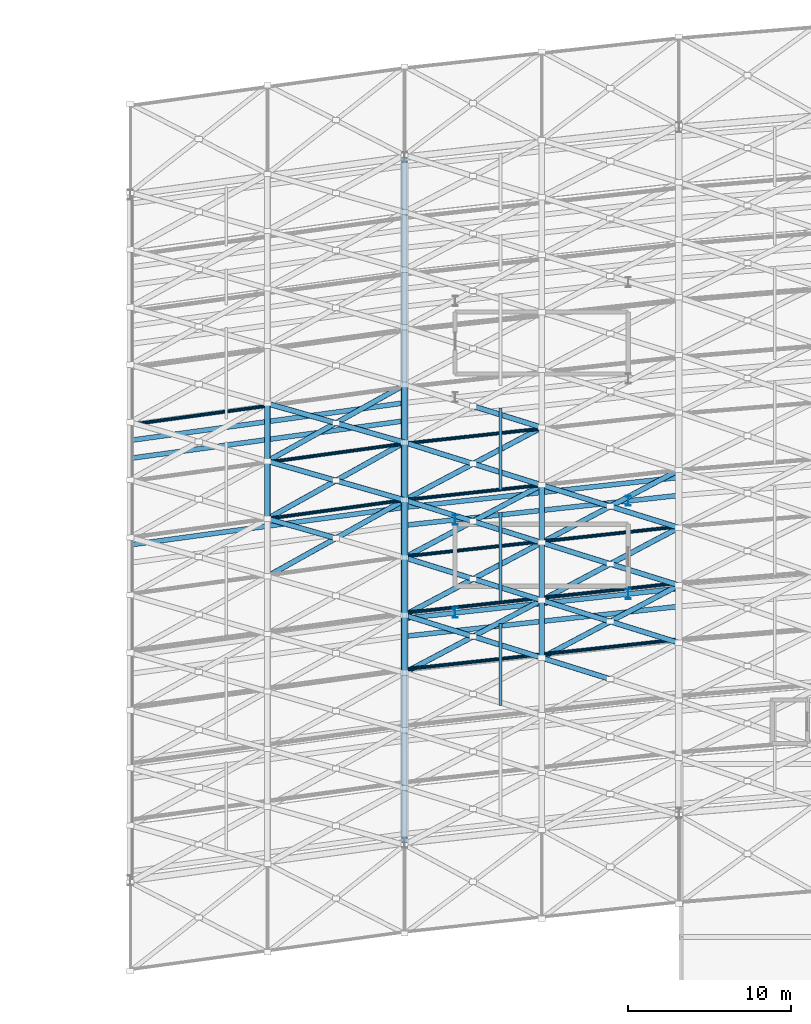
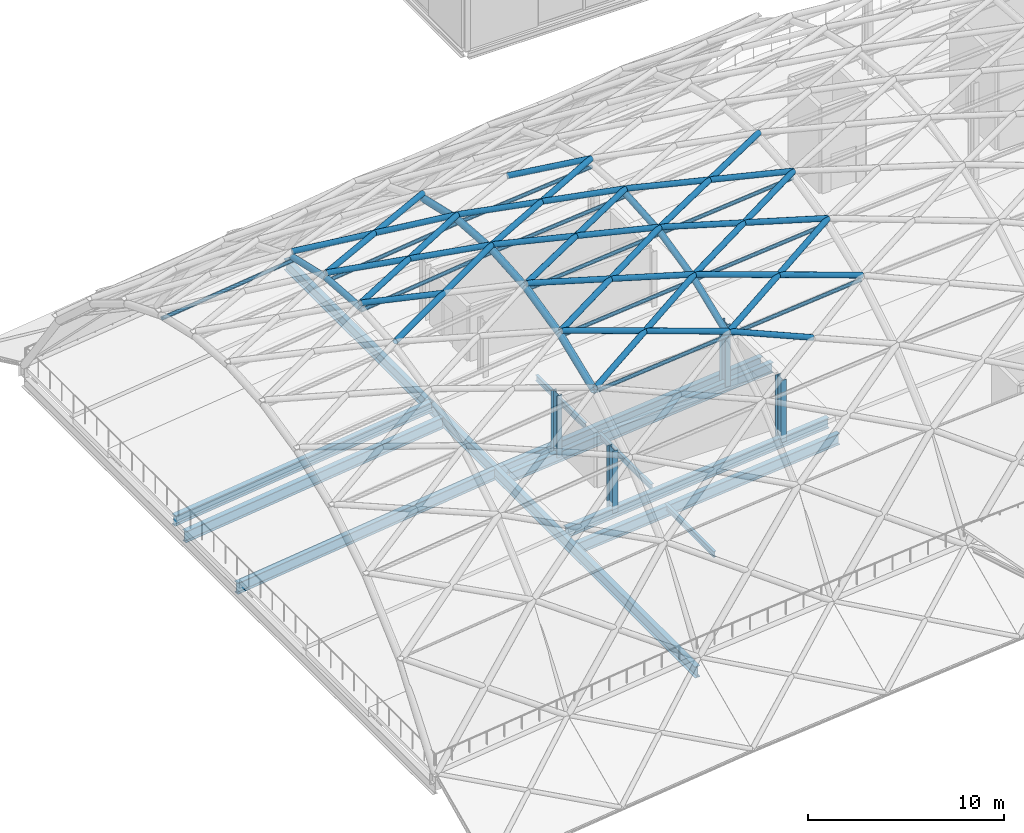
# One storey, part 13 of 100: 56 members, 11 beams.
"""IFC4 building model written with IfcOpenShell, lengths in metres."""

from ifc_helpers import new_model, si_unit, direction, frame, origin, origin_2d, place, context, subcontext, project, spatial, hollow_circle, i_section, extrude, material, material_profile, profile_set, type_object, element, save


model = new_model("IFC4")

# Units and contexts
model_context = context("Model", 3, precision=1e-05, world=origin(), true_north=direction((0.0, 1.0)))
body_context = subcontext(model_context, "Body", "Model", "MODEL_VIEW")
ifc_project = project(units=[si_unit("LENGTHUNIT", "METRE"), si_unit("AREAUNIT", "SQUARE_METRE"), si_unit("VOLUMEUNIT", "CUBIC_METRE"), si_unit("PLANEANGLEUNIT", "RADIAN"), si_unit("MASSUNIT", "GRAM", prefix="KILO")], contexts=[model_context])

# Site, building, storey
site_placement = place(None, origin())
site = spatial("IfcSite", under=ifc_project, at=site_placement, CompositionType="ELEMENT")
building_placement = place(site_placement, origin())
building = spatial("IfcBuilding", under=site, at=building_placement, Name="Kimbaza Rail Terminus", CompositionType="ELEMENT")
storey_placement = place(building_placement, frame((0.0, 0.0, 10.800048828125)))
storey = spatial("IfcBuildingStorey", under=building, at=storey_placement, Name="L02", CompositionType="ELEMENT", Elevation=10.800048828125)

# Beams
ifc_material_1 = material(Name="Steel S355", Category="steel")
ifc_material_profile_1 = material_profile(ifc_material_1, i_section(OverallWidth=0.300048828125, OverallDepth=0.64990234375, WebThickness=0.01611328125, FlangeThickness=0.031005859375, FilletRadius=0.027099609375, at=origin_2d()), Name="HEB 650")
ifc_profile_set_1 = profile_set([ifc_material_profile_1], Name="Steel S355")
beam_type_1 = type_object("IfcBeamType", Name="STR-BM-HEB650", PredefinedType="USERDEFINED", material=ifc_profile_set_1)
beam_1_placement = place(storey_placement, frame((21.74365234375, 74.845703125, -0.5849609375), z_axis=(0.990777321611, 0.135500180745, 0.0), x_axis=(-0.135500180745, 0.990777321611, 0.0)))
element("IfcBeam", 1, at=beam_1_placement, inside=storey, type_object=beam_type_1, Name="Viaduct Chorded Girder P3 Bay 01", ObjectType="GIRDER", PredefinedType="USERDEFINED", context=body_context, shape_type="SweptSolid", body=[
    extrude(i_section(OverallWidth=0.300048828125, OverallDepth=0.64990234375, WebThickness=0.01611328125, FlangeThickness=0.031005859375, FilletRadius=0.027099609375, at=origin_2d()), origin(), (0.0, 0.0, 1.0), 16.66650390625),
])
for number, where, z_axis, x_axis, name in (
    (2, (38.544189453125, 63.939208984375, -0.5849609375), (0.994106987183, 0.108403404165, 0.0), (-0.108403404165, 0.994106987183, 0.0), "Viaduct Chorded Girder P2 Bay 02"),
    (3, (38.544189453125, 69.639404296875, -0.5849609375), (0.994108571086, 0.108388878093, 0.0), (-0.108388878093, 0.994108571086, 0.0), "Viaduct Chorded Girder P2 Bay 02"),
):
    element("IfcBeam", number, at=place(storey_placement, frame(where, z_axis=z_axis, x_axis=x_axis)), inside=storey, type_object=beam_type_1, Name=name, ObjectType="GIRDER", PredefinedType="USERDEFINED", context=body_context, shape_type="SweptSolid", body=[
        extrude(i_section(OverallWidth=0.300048828125, OverallDepth=0.64990234375, WebThickness=0.01611328125, FlangeThickness=0.031005859375, FilletRadius=0.027099609375, at=origin_2d()), origin(), (0.0, 0.0, 1.0), 16.609619140625),
    ])
ifc_material_2 = material(Name="Steel S355", Category="steel")
ifc_material_profile_2 = material_profile(ifc_material_2, i_section(OverallWidth=0.300048828125, OverallDepth=0.699951171875, WebThickness=0.01708984375, FlangeThickness=0.031982421875, FilletRadius=0.027099609375, at=origin_2d()), Name="HEB 700")
ifc_profile_set_2 = profile_set([ifc_material_profile_2], Name="Steel S355")
beam_type_2 = type_object("IfcBeamType", Name="STR-BM-HEB700", PredefinedType="USERDEFINED", material=ifc_profile_set_2)
beam_2_placement = place(storey_placement, frame((38.39990234375, 50.173583984375, -0.920166015625), z_axis=(0.0, 1.0, 0.0), x_axis=(-1.0, 0.0, 0.0)))
element("IfcBeam", 4, at=beam_2_placement, inside=storey, type_object=beam_type_2, Name="Viaduct Pier Crosshead Girder VP-02", ObjectType="GIRDER", PredefinedType="USERDEFINED", context=body_context, shape_type="SweptSolid", body=[
    extrude(i_section(OverallWidth=0.300048828125, OverallDepth=0.699951171875, WebThickness=0.01708984375, FlangeThickness=0.031982421875, FilletRadius=0.027099609375, at=origin_2d()), origin(), (0.0, 0.0, 1.0), 42.0),
])
for number, where, z_axis, x_axis, name in (
    (5, (21.74365234375, 68.445556640625, -0.920166015625), (0.990777321611, 0.135500180745, 0.0), (-0.135500180745, 0.990777321611, 0.0), "Viaduct Chorded Girder TR34 Bay 01"),
    (6, (21.74365234375, 73.74560546875, -0.920166015625), (0.990777321611, 0.135500180745, 0.0), (-0.135500180745, 0.990777321611, 0.0), "Viaduct Chorded Girder TR34 Bay 01"),
):
    element("IfcBeam", number, at=place(storey_placement, frame(where, z_axis=z_axis, x_axis=x_axis)), inside=storey, type_object=beam_type_2, Name=name, ObjectType="GIRDER", PredefinedType="USERDEFINED", context=body_context, shape_type="SweptSolid", body=[
        extrude(i_section(OverallWidth=0.300048828125, OverallDepth=0.699951171875, WebThickness=0.01708984375, FlangeThickness=0.031982421875, FilletRadius=0.027099609375, at=origin_2d()), origin(), (0.0, 0.0, 1.0), 16.66650390625),
    ])
for number, where, z_axis, x_axis, name in (
    (7, (38.544189453125, 62.83935546875, -0.920166015625), (0.994108571086, 0.108388878093, 0.0), (-0.108388878093, 0.994108571086, 0.0), "Viaduct Chorded Girder TR12 Bay 02"),
    (8, (38.544189453125, 70.7392578125, -0.920166015625), (0.994106987183, 0.108403404165, 0.0), (-0.108403404165, 0.994106987183, 0.0), "Viaduct Chorded Girder TR34 Bay 02"),
):
    element("IfcBeam", number, at=place(storey_placement, frame(where, z_axis=z_axis, x_axis=x_axis)), inside=storey, type_object=beam_type_2, Name=name, ObjectType="GIRDER", PredefinedType="USERDEFINED", context=body_context, shape_type="SweptSolid", body=[
        extrude(i_section(OverallWidth=0.300048828125, OverallDepth=0.699951171875, WebThickness=0.01708984375, FlangeThickness=0.031982421875, FilletRadius=0.027099609375, at=origin_2d()), origin(), (0.0, 0.0, 1.0), 16.609619140625),
    ])
ifc_material_3 = material(Name="Steel S355", Category="steel")
ifc_material_profile_3 = material_profile(ifc_material_3, i_section(OverallWidth=0.169921875, OverallDepth=0.360107421875, WebThickness=0.008056640625, FlangeThickness=0.0126953125, FilletRadius=0.01806640625, at=origin_2d()), Name="IPE 360")
ifc_profile_set_3 = profile_set([ifc_material_profile_3], Name="Steel S355")
beam_type_3 = type_object("IfcBeamType", Name="STR-BM-IPE360", PredefinedType="JOIST", material=ifc_profile_set_3)
beam_3_placement = place(storey_placement, frame((44.280029296875, 58.58447265625, -0.75), z_axis=(0.0, 1.0, 0.0), x_axis=(-1.0, 0.0, 0.0)))
element("IfcBeam", 9, at=beam_3_placement, inside=storey, type_object=beam_type_3, Name="Viaduct Diaphragm TR12 Bay 02", PredefinedType="JOIST", context=body_context, shape_type="SweptSolid", body=[
    extrude(i_section(OverallWidth=0.169921875, OverallDepth=0.360107421875, WebThickness=0.008056640625, FlangeThickness=0.0126953125, FilletRadius=0.01806640625, at=origin_2d()), origin(), (0.0, 0.0, 1.0), 5.010009765625),
])
beam_4_placement = place(storey_placement, frame((44.280029296875, 64.984619140625, -0.43994140625), z_axis=(0.0, 1.0, 0.0), x_axis=(-1.0, 0.0, 0.0)))
element("IfcBeam", 10, at=beam_4_placement, inside=storey, type_object=beam_type_3, Name="Viaduct Diaphragm P2 Bay 02", PredefinedType="JOIST", context=body_context, shape_type="SweptSolid", body=[
    extrude(i_section(OverallWidth=0.169921875, OverallDepth=0.360107421875, WebThickness=0.008056640625, FlangeThickness=0.0126953125, FilletRadius=0.01806640625, at=origin_2d()), origin(), (0.0, 0.0, 1.0), 5.409912109375),
])
beam_5_placement = place(storey_placement, frame((44.280029296875, 71.784423828125, -0.75), z_axis=(0.0, 1.0, 0.0), x_axis=(-1.0, 0.0, 0.0)))
element("IfcBeam", 11, at=beam_5_placement, inside=storey, type_object=beam_type_3, Name="Viaduct Diaphragm TR34 Bay 02", PredefinedType="JOIST", context=body_context, shape_type="SweptSolid", body=[
    extrude(i_section(OverallWidth=0.169921875, OverallDepth=0.360107421875, WebThickness=0.008056640625, FlangeThickness=0.0126953125, FilletRadius=0.01806640625, at=origin_2d()), origin(), (0.0, 0.0, 1.0), 5.010009765625),
])

# Members
ifc_material_4 = material(Name="White painted steel S355", Category="steel")
ifc_material_profile_4 = material_profile(ifc_material_4, hollow_circle(Radius=0.109619140625, WallThickness=0.008056640625, at=origin_2d()), Name="CHS 219.1x8")
ifc_profile_set_4 = profile_set([ifc_material_profile_4], Name="White painted steel S355")
member_type_1 = type_object("IfcMemberType", Name="STR-MB-CHS219", PredefinedType="PURLIN", material=ifc_profile_set_4)
for number, where, z_axis, x_axis, name in (
    (12, (21.60009765625, 75.7900390625, 11.462158203125), (0.990775062808, 0.135516696087, 0.0), (-0.135516696087, 0.990775062808, 0.0), "Vault lattice longitudinal purlin VR-00-VA09"),
    (13, (30.0, 70.02490234375, 12.510009765625), (0.990778928837, 0.135488428186, 0.0), (-0.135488428186, 0.990778928837, 0.0), "Vault lattice longitudinal purlin VR-01-VA07"),
    (14, (30.0, 73.48193359375, 12.25244140625), (0.990778928837, 0.135488428186, 0.0), (-0.135488428186, 0.990778928837, 0.0), "Vault lattice longitudinal purlin VR-01-VA08"),
):
    element("IfcMember", number, at=place(storey_placement, frame(where, z_axis=z_axis, x_axis=x_axis)), inside=storey, type_object=member_type_1, Name=name, PredefinedType="PURLIN", context=body_context, shape_type="SweptSolid", body=[
        extrude(hollow_circle(Radius=0.109619140625, WallThickness=0.008056640625, at=origin_2d()), origin(), (0.0, 0.0, 1.0), 8.47802734375),
    ])
for number, where, z_axis, x_axis, name in (
    (15, (38.39990234375, 60.802490234375, 10.078857421875), (0.994106819652, 0.108404940487, 0.0), (-0.108404940487, 0.994106819652, 0.0), "Vault lattice longitudinal purlin VR-02-VA04"),
    (16, (38.39990234375, 64.259521484375, 11.462158203125), (0.994106819652, 0.108404940487, 0.0), (-0.108404940487, 0.994106819652, 0.0), "Vault lattice longitudinal purlin VR-02-VA05"),
    (17, (38.39990234375, 67.716552734375, 12.25244140625), (0.994106819652, 0.108404940487, 0.0), (-0.108404940487, 0.994106819652, 0.0), "Vault lattice longitudinal purlin VR-02-VA06"),
    (18, (38.39990234375, 71.173583984375, 12.510009765625), (0.994106819652, 0.108404940487, 0.0), (-0.108404940487, 0.994106819652, 0.0), "Vault lattice longitudinal purlin VR-02-VA07"),
    (19, (38.39990234375, 74.630615234375, 12.25244140625), (0.994106819652, 0.108404940487, 0.0), (-0.108404940487, 0.994106819652, 0.0), "Vault lattice longitudinal purlin VR-02-VA08"),
):
    element("IfcMember", number, at=place(storey_placement, frame(where, z_axis=z_axis, x_axis=x_axis)), inside=storey, type_object=member_type_1, Name=name, PredefinedType="PURLIN", context=body_context, shape_type="SweptSolid", body=[
        extrude(hollow_circle(Radius=0.109619140625, WallThickness=0.008056640625, at=origin_2d()), origin(), (0.0, 0.0, 1.0), 8.449951171875),
    ])
for number, where, z_axis, x_axis, name in (
    (20, (46.800048828125, 61.718505859375, 10.078857421875), (0.99410959352, 0.108379500241, 0.0), (-0.108379500241, 0.99410959352, 0.0), "Vault lattice longitudinal purlin VR-03-VA04"),
    (21, (46.800048828125, 65.175537109375, 11.462158203125), (0.99410959352, 0.108379500241, 0.0), (-0.108379500241, 0.99410959352, 0.0), "Vault lattice longitudinal purlin VR-03-VA05"),
    (22, (46.800048828125, 68.632568359375, 12.25244140625), (0.99410959352, 0.108379500241, 0.0), (-0.108379500241, 0.99410959352, 0.0), "Vault lattice longitudinal purlin VR-03-VA06"),
):
    element("IfcMember", number, at=place(storey_placement, frame(where, z_axis=z_axis, x_axis=x_axis)), inside=storey, type_object=member_type_1, Name=name, PredefinedType="PURLIN", context=body_context, shape_type="SweptSolid", body=[
        extrude(hollow_circle(Radius=0.109619140625, WallThickness=0.008056640625, at=origin_2d()), origin(), (0.0, 0.0, 1.0), 8.44970703125),
    ])
ifc_material_5 = material(Name="White painted steel S355", Category="steel")
ifc_material_profile_5 = material_profile(ifc_material_5, hollow_circle(Radius=0.161865234375, WallThickness=0.010009765625, at=origin_2d()), Name="CHS 323.9x10")
ifc_profile_set_5 = profile_set([ifc_material_profile_5], Name="White painted steel S355")
member_type_2 = type_object("IfcMemberType", Name="STR-MB-CHS323", PredefinedType="STRUT", material=ifc_profile_set_5)
member_1_placement = place(storey_placement, frame((30.0, 66.498046875, 12.71728515625), z_axis=(0.873436841779, 0.486170695719, 0.027315527575), x_axis=(-0.486352172507, 0.87376287647, 0.0)))
element("IfcMember", 23, at=member_1_placement, inside=storey, type_object=member_type_2, Name="Vault lattice diagonal A VR-01-VA06", PredefinedType="STRUT", context=body_context, shape_type="SweptSolid", body=[
    extrude(hollow_circle(Radius=0.161865234375, WallThickness=0.010009765625, at=origin_2d()), origin(), (0.0, 0.0, 1.0), 9.6171875),
])
member_2_placement = place(storey_placement, frame((34.199951171875, 68.8359375, 12.8486328125), z_axis=(-0.961752747069, 0.272262737791, 0.030077485202), x_axis=(-0.272385973351, -0.962188069725, 0.0)))
element("IfcMember", 24, at=member_2_placement, inside=storey, type_object=member_type_2, Name="Vault lattice diagonal B2 VR-01-VA06", PredefinedType="STRUT", context=body_context, shape_type="SweptSolid", body=[
    extrude(hollow_circle(Radius=0.161865234375, WallThickness=0.010009765625, at=origin_2d()), origin(), (0.0, 0.0, 1.0), 4.366943359375),
])
member_3_placement = place(storey_placement, frame((30.0, 70.02490234375, 12.97998046875), z_axis=(0.873447621669, 0.486151309509, -0.027315864701), x_axis=(-0.486332783542, 0.873773668436, 0.0)))
element("IfcMember", 25, at=member_3_placement, inside=storey, type_object=member_type_2, Name="Vault lattice diagonal A VR-01-VA07", PredefinedType="STRUT", context=body_context, shape_type="SweptSolid", body=[
    extrude(hollow_circle(Radius=0.161865234375, WallThickness=0.010009765625, at=origin_2d()), origin(), (0.0, 0.0, 1.0), 9.616943359375),
])
for number, where, z_axis, x_axis, name in (
    (26, (38.39990234375, 71.173583984375, 12.97998046875), (-0.961752747069, 0.272262737791, -0.030077485202), (-0.272385973351, -0.962188069725, 0.0), "Vault lattice diagonal B1 VR-01-VA07"),
    (27, (34.199951171875, 72.362548828125, 12.8486328125), (-0.961752747069, 0.272262737791, -0.030077485202), (-0.272385973351, -0.962188069725, 0.0), "Vault lattice diagonal B2 VR-01-VA07"),
):
    element("IfcMember", number, at=place(storey_placement, frame(where, z_axis=z_axis, x_axis=x_axis)), inside=storey, type_object=member_type_2, Name=name, PredefinedType="STRUT", context=body_context, shape_type="SweptSolid", body=[
        extrude(hollow_circle(Radius=0.161865234375, WallThickness=0.010009765625, at=origin_2d()), origin(), (0.0, 0.0, 1.0), 4.366943359375),
    ])
member_4_placement = place(storey_placement, frame((30.0, 73.551513671875, 12.71728515625), z_axis=(0.87071755489, 0.48463178446, -0.083564185498), x_axis=(-0.486332783542, 0.873773668436, 0.0)))
element("IfcMember", 28, at=member_4_placement, inside=storey, type_object=member_type_2, Name="Vault lattice diagonal A VR-01-VA08", PredefinedType="STRUT", context=body_context, shape_type="SweptSolid", body=[
    extrude(hollow_circle(Radius=0.161865234375, WallThickness=0.010009765625, at=origin_2d()), origin(), (0.0, 0.0, 1.0), 9.647216796875),
])
for number, where, z_axis, x_axis, name in (
    (29, (38.39990234375, 74.7001953125, 12.71728515625), (-0.958111742966, 0.271232005362, -0.09195154843), (-0.272385973351, -0.962188069725, 0.0), "Vault lattice diagonal B1 VR-01-VA08"),
    (30, (34.199951171875, 75.88916015625, 12.314208984375), (-0.958111742966, 0.271232005362, -0.09195154843), (-0.272385973351, -0.962188069725, 0.0), "Vault lattice diagonal B2 VR-01-VA08"),
):
    element("IfcMember", number, at=place(storey_placement, frame(where, z_axis=z_axis, x_axis=x_axis)), inside=storey, type_object=member_type_2, Name=name, PredefinedType="STRUT", context=body_context, shape_type="SweptSolid", body=[
        extrude(hollow_circle(Radius=0.161865234375, WallThickness=0.010009765625, at=origin_2d()), origin(), (0.0, 0.0, 1.0), 4.383544921875),
    ])
member_5_placement = place(storey_placement, frame((38.39990234375, 60.593505859375, 10.499755859375), z_axis=(0.874392229098, 0.462444136161, 0.14691375233), x_axis=(-0.467517020332, 0.883984069823, 0.0)))
element("IfcMember", 31, at=member_5_placement, inside=storey, type_object=member_type_2, Name="Vault lattice diagonal A VR-02-VA04", PredefinedType="STRUT", context=body_context, shape_type="SweptSolid", body=[
    extrude(hollow_circle(Radius=0.161865234375, WallThickness=0.010009765625, at=origin_2d()), origin(), (0.0, 0.0, 1.0), 9.60693359375),
])
member_6_placement = place(storey_placement, frame((46.800048828125, 61.509521484375, 10.499755859375), z_axis=(-0.94287221286, 0.29306154288, 0.158451640259), x_axis=(-0.296811236638, -0.95493617054, 0.0)))
element("IfcMember", 32, at=member_6_placement, inside=storey, type_object=member_type_2, Name="Vault lattice diagonal B1 VR-02-VA04", PredefinedType="STRUT", context=body_context, shape_type="SweptSolid", body=[
    extrude(hollow_circle(Radius=0.161865234375, WallThickness=0.010009765625, at=origin_2d()), origin(), (0.0, 0.0, 1.0), 4.454345703125),
])
member_7_placement = place(storey_placement, frame((42.60009765625, 62.81494140625, 11.20556640625), z_axis=(-0.942886481985, 0.293048943221, 0.158390021677), x_axis=(-0.29679550395, -0.954941060399, 0.0)))
element("IfcMember", 33, at=member_7_placement, inside=storey, type_object=member_type_2, Name="Vault lattice diagonal B2 VR-02-VA04", PredefinedType="STRUT", context=body_context, shape_type="SweptSolid", body=[
    extrude(hollow_circle(Radius=0.161865234375, WallThickness=0.010009765625, at=origin_2d()), origin(), (0.0, 0.0, 1.0), 4.45458984375),
])
member_8_placement = place(storey_placement, frame((38.39990234375, 64.120361328125, 11.9111328125), z_axis=(0.880830640597, 0.465823650312, 0.084532297941), x_axis=(-0.467496943539, 0.883994687643, 0.0)))
element("IfcMember", 34, at=member_8_placement, inside=storey, type_object=member_type_2, Name="Vault lattice diagonal A VR-02-VA05", PredefinedType="STRUT", context=body_context, shape_type="SweptSolid", body=[
    extrude(hollow_circle(Radius=0.161865234375, WallThickness=0.010009765625, at=origin_2d()), origin(), (0.0, 0.0, 1.0), 9.53662109375),
])
member_9_placement = place(storey_placement, frame((46.800048828125, 65.0361328125, 11.9111328125), z_axis=(-0.950950939485, 0.295572555567, 0.091264314427), x_axis=(-0.296811236638, -0.95493617054, 0.0)))
element("IfcMember", 35, at=member_9_placement, inside=storey, type_object=member_type_2, Name="Vault lattice diagonal B1 VR-02-VA05", PredefinedType="STRUT", context=body_context, shape_type="SweptSolid", body=[
    extrude(hollow_circle(Radius=0.161865234375, WallThickness=0.010009765625, at=origin_2d()), origin(), (0.0, 0.0, 1.0), 4.41650390625),
])
member_10_placement = place(storey_placement, frame((42.60009765625, 66.341552734375, 12.314208984375), z_axis=(-0.950956228767, 0.29555701902, 0.091259517188), x_axis=(-0.29679550395, -0.954941060399, 0.0)))
element("IfcMember", 36, at=member_10_placement, inside=storey, type_object=member_type_2, Name="Vault lattice diagonal B2 VR-02-VA05", PredefinedType="STRUT", context=body_context, shape_type="SweptSolid", body=[
    extrude(hollow_circle(Radius=0.161865234375, WallThickness=0.010009765625, at=origin_2d()), origin(), (0.0, 0.0, 1.0), 4.416748046875),
])
member_11_placement = place(storey_placement, frame((38.39990234375, 67.64697265625, 12.71728515625), z_axis=(0.883646483057, 0.467338479152, 0.027634016792), x_axis=(-0.467517020332, 0.883984069823, 0.0)))
element("IfcMember", 37, at=member_11_placement, inside=storey, type_object=member_type_2, Name="Vault lattice diagonal A VR-02-VA06", PredefinedType="STRUT", context=body_context, shape_type="SweptSolid", body=[
    extrude(hollow_circle(Radius=0.161865234375, WallThickness=0.010009765625, at=origin_2d()), origin(), (0.0, 0.0, 1.0), 9.50634765625),
])
member_12_placement = place(storey_placement, frame((46.800048828125, 68.562744140625, 12.71728515625), z_axis=(-0.954510612477, 0.296678965582, 0.029850997472), x_axis=(-0.296811236638, -0.95493617054, 0.0)))
element("IfcMember", 38, at=member_12_placement, inside=storey, type_object=member_type_2, Name="Vault lattice diagonal B1 VR-02-VA06", PredefinedType="STRUT", context=body_context, shape_type="SweptSolid", body=[
    extrude(hollow_circle(Radius=0.161865234375, WallThickness=0.010009765625, at=origin_2d()), origin(), (0.0, 0.0, 1.0), 4.400146484375),
])
member_13_placement = place(storey_placement, frame((42.60009765625, 69.8681640625, 12.8486328125), z_axis=(-0.954515545239, 0.296663253917, 0.029849416609), x_axis=(-0.29679550395, -0.954941060399, 0.0)))
element("IfcMember", 39, at=member_13_placement, inside=storey, type_object=member_type_2, Name="Vault lattice diagonal B2 VR-02-VA06", PredefinedType="STRUT", context=body_context, shape_type="SweptSolid", body=[
    extrude(hollow_circle(Radius=0.161865234375, WallThickness=0.010009765625, at=origin_2d()), origin(), (0.0, 0.0, 1.0), 4.400390625),
])
member_14_placement = place(storey_placement, frame((38.39990234375, 71.173583984375, 12.97998046875), z_axis=(0.883646483057, 0.467338479152, -0.027634016792), x_axis=(-0.467517020332, 0.883984069823, 0.0)))
element("IfcMember", 40, at=member_14_placement, inside=storey, type_object=member_type_2, Name="Vault lattice diagonal A VR-02-VA07", PredefinedType="STRUT", context=body_context, shape_type="SweptSolid", body=[
    extrude(hollow_circle(Radius=0.161865234375, WallThickness=0.010009765625, at=origin_2d()), origin(), (0.0, 0.0, 1.0), 9.50634765625),
])
member_15_placement = place(storey_placement, frame((46.800048828125, 72.089599609375, 12.97998046875), z_axis=(-0.954526323852, 0.29662836292, -0.029851488824), x_axis=(-0.296760615771, -0.954951902939, 0.0)))
element("IfcMember", 41, at=member_15_placement, inside=storey, type_object=member_type_2, Name="Vault lattice diagonal B1 VR-02-VA07", PredefinedType="STRUT", context=body_context, shape_type="SweptSolid", body=[
    extrude(hollow_circle(Radius=0.161865234375, WallThickness=0.010009765625, at=origin_2d()), origin(), (0.0, 0.0, 1.0), 4.400146484375),
])
member_16_placement = place(storey_placement, frame((42.60009765625, 73.394775390625, 12.8486328125), z_axis=(-0.954515545239, 0.296663253917, -0.029849416609), x_axis=(-0.29679550395, -0.954941060399, 0.0)))
element("IfcMember", 42, at=member_16_placement, inside=storey, type_object=member_type_2, Name="Vault lattice diagonal B2 VR-02-VA07", PredefinedType="STRUT", context=body_context, shape_type="SweptSolid", body=[
    extrude(hollow_circle(Radius=0.161865234375, WallThickness=0.010009765625, at=origin_2d()), origin(), (0.0, 0.0, 1.0), 4.400390625),
])
member_17_placement = place(storey_placement, frame((46.800048828125, 75.6162109375, 12.71728515625), z_axis=(-0.950950939485, 0.295572555567, -0.091264314427), x_axis=(-0.296811236638, -0.95493617054, 0.0)))
element("IfcMember", 43, at=member_17_placement, inside=storey, type_object=member_type_2, Name="Vault lattice diagonal B1 VR-02-VA08", PredefinedType="STRUT", context=body_context, shape_type="SweptSolid", body=[
    extrude(hollow_circle(Radius=0.161865234375, WallThickness=0.010009765625, at=origin_2d()), origin(), (0.0, 0.0, 1.0), 4.41650390625),
])
member_18_placement = place(storey_placement, frame((51.0, 60.2041015625, 9.425048828125), z_axis=(-0.927643307476, 0.288328126785, 0.237370565571), x_axis=(-0.296811236638, -0.95493617054, 0.0)))
element("IfcMember", 44, at=member_18_placement, inside=storey, type_object=member_type_2, Name="Vault lattice diagonal B2 VR-03-VA03", PredefinedType="STRUT", context=body_context, shape_type="SweptSolid", body=[
    extrude(hollow_circle(Radius=0.161865234375, WallThickness=0.010009765625, at=origin_2d()), origin(), (0.0, 0.0, 1.0), 4.527587890625),
])
member_19_placement = place(storey_placement, frame((46.800048828125, 61.509521484375, 10.499755859375), z_axis=(0.874386245658, 0.462454412377, 0.146917016978), x_axis=(-0.46752763846, 0.883978454079, 0.0)))
element("IfcMember", 45, at=member_19_placement, inside=storey, type_object=member_type_2, Name="Vault lattice diagonal A VR-03-VA04", PredefinedType="STRUT", context=body_context, shape_type="SweptSolid", body=[
    extrude(hollow_circle(Radius=0.161865234375, WallThickness=0.010009765625, at=origin_2d()), origin(), (0.0, 0.0, 1.0), 9.606689453125),
])
for number, where, z_axis, x_axis, name in (
    (46, (55.199951171875, 62.425537109375, 10.499755859375), (-0.942887356496, 0.29301144032, 0.158454185179), (-0.296760615771, -0.954951902939, 0.0), "Vault lattice diagonal B1 VR-03-VA04"),
    (47, (51.0, 63.730712890625, 11.20556640625), (-0.942880399935, 0.293064087569, 0.158398207046), (-0.296811236638, -0.95493617054, 0.0), "Vault lattice diagonal B2 VR-03-VA04"),
):
    element("IfcMember", number, at=place(storey_placement, frame(where, z_axis=z_axis, x_axis=x_axis)), inside=storey, type_object=member_type_2, Name=name, PredefinedType="STRUT", context=body_context, shape_type="SweptSolid", body=[
        extrude(hollow_circle(Radius=0.161865234375, WallThickness=0.010009765625, at=origin_2d()), origin(), (0.0, 0.0, 1.0), 4.454345703125),
    ])
member_20_placement = place(storey_placement, frame((46.800048828125, 65.0361328125, 11.9111328125), z_axis=(0.880814397788, 0.465854199749, 0.084533195998), x_axis=(-0.46752763846, 0.883978454079, 0.0)))
element("IfcMember", 48, at=member_20_placement, inside=storey, type_object=member_type_2, Name="Vault lattice diagonal A VR-03-VA05", PredefinedType="STRUT", context=body_context, shape_type="SweptSolid", body=[
    extrude(hollow_circle(Radius=0.161865234375, WallThickness=0.010009765625, at=origin_2d()), origin(), (0.0, 0.0, 1.0), 9.53662109375),
])
for number, where, z_axis, x_axis, name in (
    (49, (55.199951171875, 65.9521484375, 11.9111328125), (-0.950950939485, 0.295572555567, 0.091264314427), (-0.296811236638, -0.95493617054, 0.0), "Vault lattice diagonal B1 VR-03-VA05"),
    (50, (51.0, 67.257568359375, 12.314208984375), (-0.950966475734, 0.295522105405, 0.091265805466), (-0.296760615771, -0.954951902939, 0.0), "Vault lattice diagonal B2 VR-03-VA05"),
):
    element("IfcMember", number, at=place(storey_placement, frame(where, z_axis=z_axis, x_axis=x_axis)), inside=storey, type_object=member_type_2, Name=name, PredefinedType="STRUT", context=body_context, shape_type="SweptSolid", body=[
        extrude(hollow_circle(Radius=0.161865234375, WallThickness=0.010009765625, at=origin_2d()), origin(), (0.0, 0.0, 1.0), 4.41650390625),
    ])
member_21_placement = place(storey_placement, frame((46.800048828125, 68.562744140625, 12.71728515625), z_axis=(0.883640854133, 0.46734908512, 0.02763464393), x_axis=(-0.46752763846, 0.883978454079, 0.0)))
element("IfcMember", 51, at=member_21_placement, inside=storey, type_object=member_type_2, Name="Vault lattice diagonal A VR-03-VA06", PredefinedType="STRUT", context=body_context, shape_type="SweptSolid", body=[
    extrude(hollow_circle(Radius=0.161865234375, WallThickness=0.010009765625, at=origin_2d()), origin(), (0.0, 0.0, 1.0), 9.506103515625),
])
for number, where, z_axis, x_axis, name in (
    (52, (55.199951171875, 69.478759765625, 12.71728515625), (-0.954510612477, 0.296678965582, 0.029850997472), (-0.296811236638, -0.95493617054, 0.0), "Vault lattice diagonal B1 VR-03-VA06"),
    (53, (51.0, 70.7841796875, 12.8486328125), (-0.954510612477, 0.296678965582, 0.029850997472), (-0.296811236638, -0.95493617054, 0.0), "Vault lattice diagonal B2 VR-03-VA06"),
):
    element("IfcMember", number, at=place(storey_placement, frame(where, z_axis=z_axis, x_axis=x_axis)), inside=storey, type_object=member_type_2, Name=name, PredefinedType="STRUT", context=body_context, shape_type="SweptSolid", body=[
        extrude(hollow_circle(Radius=0.161865234375, WallThickness=0.010009765625, at=origin_2d()), origin(), (0.0, 0.0, 1.0), 4.400146484375),
    ])
ifc_material_6 = material(Name="White painted steel S355", Category="steel")
ifc_material_profile_6 = material_profile(ifc_material_6, hollow_circle(Radius=0.177734375, WallThickness=0.012451171875, at=origin_2d()), Name="CHS 355.6x12.5")
ifc_profile_set_6 = profile_set([ifc_material_profile_6], Name="White painted steel S355")
member_type_3 = type_object("IfcMemberType", Name="STR-MB-CHS355", PredefinedType="CHORD", material=ifc_profile_set_6)
member_22_placement = place(storey_placement, frame((30.0, 70.02490234375, 12.679931640625), z_axis=(0.0, 0.997239447362, -0.074252842537), x_axis=(-1.0, 0.0, 0.0)))
element("IfcMember", 54, at=member_22_placement, inside=storey, type_object=member_type_3, Name="Vault lattice arch chord VR-01 seg 8", PredefinedType="CHORD", context=body_context, shape_type="SweptSolid", body=[
    extrude(hollow_circle(Radius=0.177734375, WallThickness=0.012451171875, at=origin_2d()), origin(), (0.0, 0.0, 1.0), 3.49169921875),
])
member_23_placement = place(storey_placement, frame((30.0, 73.507080078125, 12.420654296875), z_axis=(0.0, 0.974845354939, -0.22288233208), x_axis=(-1.0, 0.0, 0.0)))
element("IfcMember", 55, at=member_23_placement, inside=storey, type_object=member_type_3, Name="Vault lattice arch chord VR-01 seg 9", PredefinedType="CHORD", context=body_context, shape_type="SweptSolid", body=[
    extrude(hollow_circle(Radius=0.177734375, WallThickness=0.012451171875, at=origin_2d()), origin(), (0.0, 0.0, 1.0), 3.572021484375),
])
member_24_placement = place(storey_placement, frame((46.800048828125, 61.642822265625, 10.23095703125), z_axis=(0.0, 0.928413829694, 0.37154779078), x_axis=(-1.0, 0.0, 0.0)))
element("IfcMember", 56, at=member_24_placement, inside=storey, type_object=member_type_3, Name="Vault lattice arch chord VR-03 seg 5", PredefinedType="CHORD", context=body_context, shape_type="SweptSolid", body=[
    extrude(hollow_circle(Radius=0.177734375, WallThickness=0.012451171875, at=origin_2d()), origin(), (0.0, 0.0, 1.0), 3.750732421875),
])
member_25_placement = place(storey_placement, frame((46.800048828125, 65.125, 11.62451171875), z_axis=(0.0, 0.974845354939, 0.22288233208), x_axis=(-1.0, 0.0, 0.0)))
element("IfcMember", 57, at=member_25_placement, inside=storey, type_object=member_type_3, Name="Vault lattice arch chord VR-03 seg 6", PredefinedType="CHORD", context=body_context, shape_type="SweptSolid", body=[
    extrude(hollow_circle(Radius=0.177734375, WallThickness=0.012451171875, at=origin_2d()), origin(), (0.0, 0.0, 1.0), 3.572021484375),
])
member_26_placement = place(storey_placement, frame((46.800048828125, 68.607177734375, 12.420654296875), z_axis=(0.0, 0.997239832813, 0.074247665623), x_axis=(-1.0, 0.0, 0.0)))
element("IfcMember", 58, at=member_26_placement, inside=storey, type_object=member_type_3, Name="Vault lattice arch chord VR-03 seg 7", PredefinedType="CHORD", context=body_context, shape_type="SweptSolid", body=[
    extrude(hollow_circle(Radius=0.177734375, WallThickness=0.012451171875, at=origin_2d()), origin(), (0.0, 0.0, 1.0), 3.491943359375),
])
ifc_material_7 = material(Name="White painted steel S355", Category="steel")
ifc_material_profile_7 = material_profile(ifc_material_7, hollow_circle(Radius=0.203125, WallThickness=0.01416015625, at=origin_2d()), Name="CHS 406.4x14.2")
ifc_profile_set_7 = profile_set([ifc_material_profile_7], Name="White painted steel S355")
member_type_4 = type_object("IfcMemberType", Name="STR-MB-CHS406", PredefinedType="CHORD", material=ifc_profile_set_7)
member_27_placement = place(storey_placement, frame((38.39990234375, 60.726806640625, 10.23095703125), z_axis=(0.0, 0.928422814748, 0.371525338375), x_axis=(-1.0, 0.0, 0.0)))
element("IfcMember", 59, at=member_27_placement, inside=storey, type_object=member_type_4, Name="Vault lattice arch chord VR-02 seg 5", PredefinedType="CHORD", context=body_context, shape_type="SweptSolid", body=[
    extrude(hollow_circle(Radius=0.203125, WallThickness=0.01416015625, at=origin_2d()), origin(), (0.0, 0.0, 1.0), 3.7509765625),
])
member_28_placement = place(storey_placement, frame((38.39990234375, 64.209228515625, 11.62451171875), z_axis=(0.0, 0.974845354939, 0.22288233208), x_axis=(-1.0, 0.0, 0.0)))
element("IfcMember", 60, at=member_28_placement, inside=storey, type_object=member_type_4, Name="Vault lattice arch chord VR-02 seg 6", PredefinedType="CHORD", context=body_context, shape_type="SweptSolid", body=[
    extrude(hollow_circle(Radius=0.203125, WallThickness=0.01416015625, at=origin_2d()), origin(), (0.0, 0.0, 1.0), 3.572021484375),
])
for number, where, z_axis, x_axis, name in (
    (61, (38.39990234375, 67.69140625, 12.420654296875), (0.0, 0.997239447362, 0.074252842537), (-1.0, 0.0, 0.0), "Vault lattice arch chord VR-02 seg 7"),
    (62, (38.39990234375, 71.173583984375, 12.679931640625), (0.0, 0.997239447362, -0.074252842537), (-1.0, 0.0, 0.0), "Vault lattice arch chord VR-02 seg 8"),
):
    element("IfcMember", number, at=place(storey_placement, frame(where, z_axis=z_axis, x_axis=x_axis)), inside=storey, type_object=member_type_4, Name=name, PredefinedType="CHORD", context=body_context, shape_type="SweptSolid", body=[
        extrude(hollow_circle(Radius=0.203125, WallThickness=0.01416015625, at=origin_2d()), origin(), (0.0, 0.0, 1.0), 3.49169921875),
    ])
member_29_placement = place(storey_placement, frame((38.39990234375, 74.65576171875, 12.420654296875), z_axis=(0.0, 0.974845354939, -0.22288233208), x_axis=(-1.0, 0.0, 0.0)))
element("IfcMember", 63, at=member_29_placement, inside=storey, type_object=member_type_4, Name="Vault lattice arch chord VR-02 seg 9", PredefinedType="CHORD", context=body_context, shape_type="SweptSolid", body=[
    extrude(hollow_circle(Radius=0.203125, WallThickness=0.01416015625, at=origin_2d()), origin(), (0.0, 0.0, 1.0), 3.572021484375),
])
ifc_material_8 = material(Name="Steel S355", Category="steel")
ifc_material_profile_8 = material_profile(ifc_material_8, i_section(OverallWidth=0.304931640625, OverallDepth=0.6201171875, WebThickness=0.02099609375, FlangeThickness=0.0400390625, FilletRadius=0.027099609375, at=origin_2d()), Name="HEM 600")
ifc_profile_set_8 = profile_set([ifc_material_profile_8], Name="Steel S355")
member_type_5 = type_object("IfcMemberType", Name="STR-MB-HEM600", PredefinedType="POST", material=ifc_profile_set_8)
for number, where, z_axis, x_axis, name in (
    (64, (41.5, 64.26171875, -0.449951171875), (0.0, 0.0, 1.0), (1.0, 0.0, 0.0), "Island Platform 2-3 Air-Conditioned Waiting Lounge 2 Corner Post 1"),
    (65, (52.10009765625, 65.41748046875, -0.449951171875), (0.0, 0.0, 1.0), (1.0, 0.0, 0.0), "Island Platform 2-3 Air-Conditioned Waiting Lounge 2 Corner Post 2"),
    (66, (52.10009765625, 71.117431640625, -0.449951171875), (0.0, 0.0, 1.0), (1.0, 0.0, 0.0), "Island Platform 2-3 Air-Conditioned Waiting Lounge 2 Corner Post 3"),
    (67, (41.5, 69.961669921875, -0.449951171875), (0.0, 0.0, 1.0), (1.0, 0.0, 0.0), "Island Platform 2-3 Air-Conditioned Waiting Lounge 2 Corner Post 4"),
):
    element("IfcMember", number, at=place(storey_placement, frame(where, z_axis=z_axis, x_axis=x_axis)), inside=storey, type_object=member_type_5, Name=name, PredefinedType="POST", context=body_context, shape_type="SweptSolid", body=[
        extrude(i_section(OverallWidth=0.304931640625, OverallDepth=0.6201171875, WebThickness=0.02099609375, FlangeThickness=0.0400390625, FilletRadius=0.027099609375, at=origin_2d()), origin(), (0.0, 0.0, 1.0), 3.869873046875),
    ])

save(model, "model.ifc")
